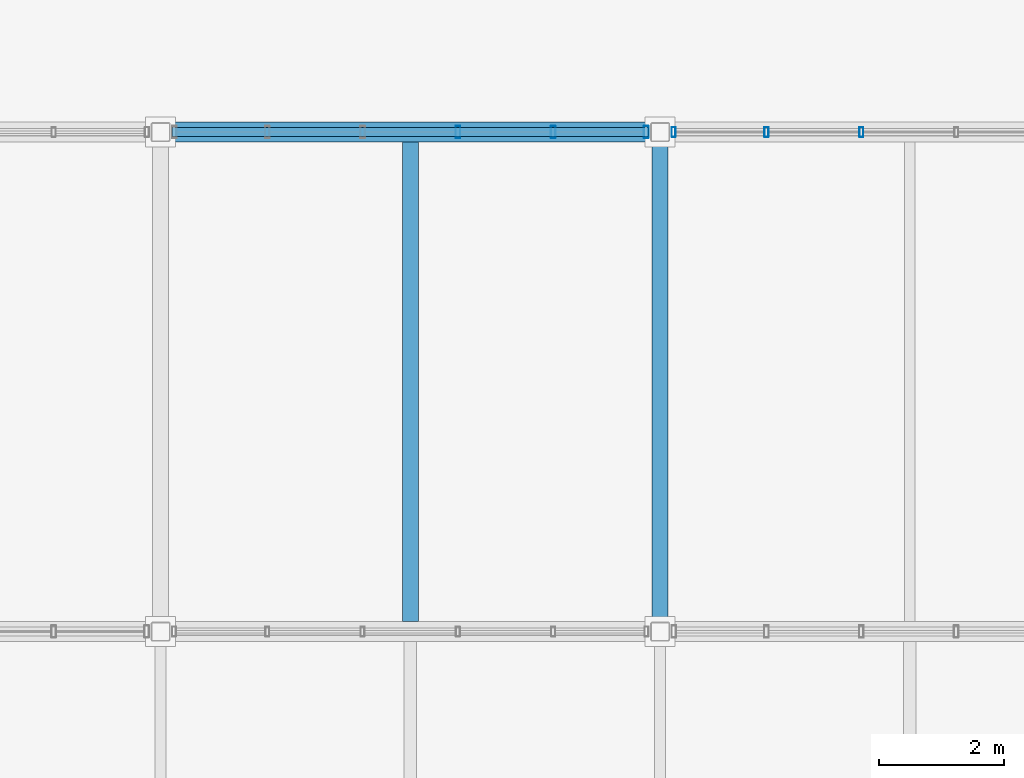
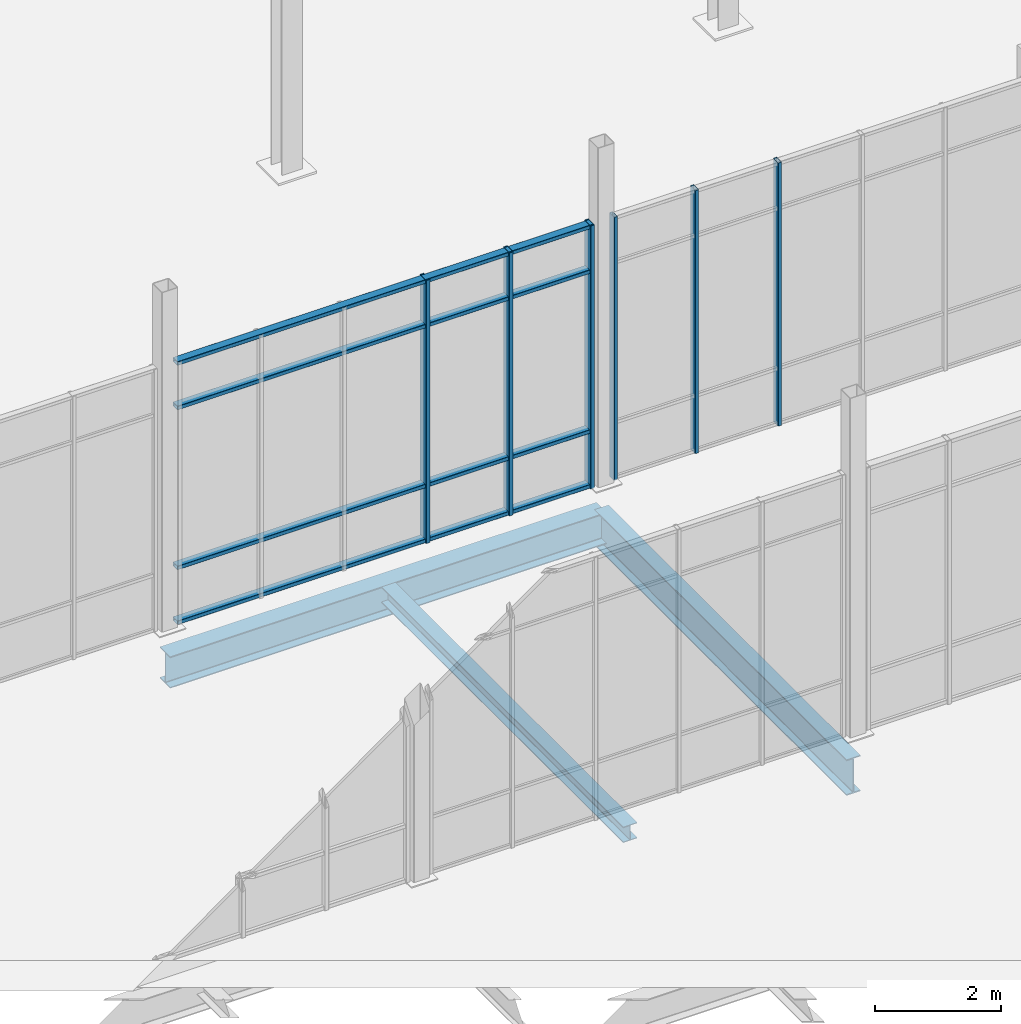
# One storey, part 53 of 140: 10 members, 3 beams, 2 elements without a shape of their own.
"""IFC4 building model written with IfcOpenShell, lengths in metres."""

import ifcopenshell
import ifcopenshell.guid

model = None  # the IFC model being written
_history = None  # IfcOwnerHistory: only IFC2X3 demands one
_inside = {}  # id of a spatial element -> (the spatial element, [elements in it])
_under = {}  # id of a project, library or spatial element -> (it, [spatial elements below it])
_declared = {}  # id of a project -> (the project, [libraries it declares])
_typed = {}  # id of a type object -> (the type object, [elements of that type])
_made_of = {}  # id of a material, layer set ... -> (it, [elements and type objects made of it])


def new_model(schema):
    """Start an empty IFC model of exactly this schema.

    Asked for "IFC4X3", IfcOpenShell would pick the latest addendum, in which some entities
    have other attributes; the version numbers below select the first issue.
    IFC2X3 requires an IfcOwnerHistory on every rooted entity: one is made here for all.
    """
    global model, _history
    if schema == "IFC4X3":
        model = ifcopenshell.file(schema_version=(4, 3, 0, 0))
    else:
        model = ifcopenshell.file(schema=schema)
    _inside.clear()
    _under.clear()
    _declared.clear()
    _typed.clear()
    _made_of.clear()
    _history = None
    if model.schema == "IFC2X3":
        org = make("IfcOrganization", Name="unknown")
        user = make(
            "IfcPersonAndOrganization",
            ThePerson=make("IfcPerson", FamilyName="unknown"),
            TheOrganization=org,
        )
        app = make(
            "IfcApplication",
            ApplicationDeveloper=org,
            Version="unknown",
            ApplicationFullName="unknown",
            ApplicationIdentifier="unknown",
        )
        _history = make(
            "IfcOwnerHistory",
            OwningUser=user,
            OwningApplication=app,
            ChangeAction="ADDED",
            CreationDate=0,
        )
    return model


def make(cls, **values):
    """One entity of the class cls with the attributes given. An attribute that is None is left unset."""
    return model.create_entity(
        cls, **{name: value for name, value in values.items() if value is not None}
    )


def rooted(cls, **values):
    """An entity with a GlobalId (a new one), such as an element, a storey or a relation."""
    return make(cls, GlobalId=ifcopenshell.guid.new(), OwnerHistory=_history, **values)


def si_unit(unit_type, name, prefix=None):
    """IfcSIUnit, for example si_unit("LENGTHUNIT", "METRE", prefix="MILLI")."""
    return make("IfcSIUnit", UnitType=unit_type, Prefix=prefix, Name=name)


def assignment(units):
    """IfcUnitAssignment: the units of a project."""
    return None if units is None else make("IfcUnitAssignment", Units=units)


def point(xyz):
    """IfcCartesianPoint."""
    return None if xyz is None else make("IfcCartesianPoint", Coordinates=xyz)


def direction(xyz):
    """IfcDirection."""
    return None if xyz is None else make("IfcDirection", DirectionRatios=xyz)


def frame(location, z_axis=None, x_axis=None):
    """IfcAxis2Placement3D, a coordinate frame: its origin and axes. An axis left out is left unset."""
    return make(
        "IfcAxis2Placement3D",
        Location=point(location),
        Axis=direction(z_axis),
        RefDirection=direction(x_axis),
    )


def frame_2d(location, x_axis=None):
    """IfcAxis2Placement2D, a coordinate frame in the plane: its origin and x axis."""
    return make(
        "IfcAxis2Placement2D", Location=point(location), RefDirection=direction(x_axis)
    )


def origin():
    """The frame at (0, 0, 0) with its axes left unset."""
    return frame((0.0, 0.0, 0.0))


def origin_2d():
    """The frame at (0, 0) in the plane with its x axis left unset."""
    return frame_2d((0.0, 0.0))


def place(relative_to, where):
    """IfcLocalPlacement: puts the frame where relative to a parent placement (None: the world)."""
    return make(
        "IfcLocalPlacement", PlacementRelTo=relative_to, RelativePlacement=where
    )


def context(
    kind, dimensions, precision=None, world=None, true_north=None, identifier=None
):
    """IfcGeometricRepresentationContext, for example the 3D "Model" context."""
    return make(
        "IfcGeometricRepresentationContext",
        ContextIdentifier=identifier,
        ContextType=kind,
        CoordinateSpaceDimension=dimensions,
        Precision=precision,
        WorldCoordinateSystem=world,
        TrueNorth=true_north,
    )


def subcontext(parent, identifier, kind, view, scale=None):
    """IfcGeometricRepresentationSubContext, for example "Body" below "Model"."""
    return make(
        "IfcGeometricRepresentationSubContext",
        ContextIdentifier=identifier,
        ContextType=kind,
        ParentContext=parent,
        TargetScale=scale,
        TargetView=view,
    )


def project(units=None, contexts=None):
    """IfcProject with its units and contexts."""
    return rooted(
        "IfcProject",
        Name="project",
        RepresentationContexts=contexts,
        UnitsInContext=assignment(units),
    )


def spatial(cls, under=None, at=None, **own):
    """A site, building, storey or space (cls), placed at a placement, below another one or the project."""
    s = rooted(cls, ObjectPlacement=at, **own)
    if under is not None:
        _under.setdefault(under.id(), (under, []))[1].append(s)
    return s


def profile(cls, at=None, kind="AREA", **sizes):
    """A parametric profile (cls). Its sizes go by their IFC names, for example OverallWidth=200.0."""
    return make(cls, ProfileType=kind, Position=at, **sizes)


def hollow_rectangle(**sizes):
    """IfcRectangleHollowProfileDef."""
    return profile("IfcRectangleHollowProfileDef", **sizes)


def i_section(**sizes):
    """IfcIShapeProfileDef."""
    return profile("IfcIShapeProfileDef", **sizes)


def extrude(swept, where, along, depth):
    """IfcExtrudedAreaSolid: the profile swept, set in the frame where, extruded along a direction by depth."""
    return make(
        "IfcExtrudedAreaSolid",
        SweptArea=swept,
        Position=where,
        ExtrudedDirection=direction(along),
        Depth=depth,
    )


def shape(context_of_items, identifier, shape_type, items):
    """IfcShapeRepresentation: the items that make up one representation, for example the "Body"."""
    return make(
        "IfcShapeRepresentation",
        ContextOfItems=context_of_items,
        RepresentationIdentifier=identifier,
        RepresentationType=shape_type,
        Items=items,
    )


def material(Name=None, Category=None):
    """IfcMaterial."""
    return make("IfcMaterial", Name=Name, Category=Category)


def material_profile(
    of_material, cross_section, Name=None, Category=None, Priority=None
):
    """IfcMaterialProfile: a cross section and its material."""
    return make(
        "IfcMaterialProfile",
        Name=Name,
        Material=of_material,
        Profile=cross_section,
        Priority=Priority,
        Category=Category,
    )


def profile_set(profiles, Name=None, composite=None):
    """IfcMaterialProfileSet."""
    return make(
        "IfcMaterialProfileSet",
        Name=Name,
        MaterialProfiles=profiles,
        CompositeProfile=composite,
    )


def made_of(thing, what):
    """Note that an element or type object is made of a material, layer set ...; save() writes the relation."""
    if what is not None:
        _made_of.setdefault(what.id(), (what, []))[1].append(thing)
    return thing


def type_object(cls, material=None, **own):
    """A type object (cls), such as IfcWallType, which elements share."""
    return made_of(rooted(cls, **own), material)


def element(
    cls,
    number,
    at=None,
    inside=None,
    cuts=None,
    type_object=None,
    material=None,
    context=None,
    identifier="Body",
    shape_type=None,
    held_by="IfcProductDefinitionShape",
    body=None,
    shapes=None,
    **own,
):
    """One element of the class cls, such as IfcWall. Its Tag is "e" and its number.

    at: its placement. inside: the storey or other place that contains it. cuts: it is an
    opening in that element (IfcRelVoidsElement). A single representation is given by context,
    identifier, shape_type and body (its items); several are given by shapes. held_by: the class
    of the entity that holds the representations. save() writes the other relations.
    """
    e = rooted(cls, Tag="e%d" % number, ObjectPlacement=at, **own)
    if body is not None:
        shapes = [shape(context, identifier, shape_type, body)]
    if shapes is not None:
        e.Representation = make(held_by, Representations=shapes)
    if inside is not None:
        _inside.setdefault(inside.id(), (inside, []))[1].append(e)
    if cuts is not None:
        rooted(
            "IfcRelVoidsElement", RelatingBuildingElement=cuts, RelatedOpeningElement=e
        )
    if type_object is not None:
        _typed.setdefault(type_object.id(), (type_object, []))[1].append(e)
    return made_of(e, material)


def aggregate(whole, parts):
    """IfcRelAggregates: a whole, such as a stair, and the parts it consists of."""
    return rooted("IfcRelAggregates", RelatingObject=whole, RelatedObjects=parts)


def save(model, path):
    """Write the relations noted so far, then the file.

    IfcRelAggregates (storeys below a building ...), IfcRelContainedInSpatialStructure (elements
    in a storey), IfcRelDefinesByType, IfcRelAssociatesMaterial and IfcRelDeclares: one each for
    every whole, place, type object, material and project.
    """
    for whole, parts in _under.values():
        aggregate(whole, parts)
    for where, things in _inside.values():
        rooted(
            "IfcRelContainedInSpatialStructure",
            RelatedElements=things,
            RelatingStructure=where,
        )
    for kind, things in _typed.values():
        rooted("IfcRelDefinesByType", RelatedObjects=things, RelatingType=kind)
    for what, things in _made_of.values():
        rooted("IfcRelAssociatesMaterial", RelatedObjects=things, RelatingMaterial=what)
    for by, libraries in _declared.values():
        rooted("IfcRelDeclares", RelatingContext=by, RelatedDefinitions=libraries)
    model.write(path)


model = new_model("IFC4")

# Units and contexts
model_context = context("Model", 3, precision=1e-05, world=origin(), true_north=direction((0.0, 1.0)))
body_context = subcontext(model_context, "Body", "Model", "MODEL_VIEW")
ifc_project = project(units=[si_unit("LENGTHUNIT", "METRE"), si_unit("AREAUNIT", "SQUARE_METRE"), si_unit("VOLUMEUNIT", "CUBIC_METRE"), si_unit("PLANEANGLEUNIT", "RADIAN"), si_unit("MASSUNIT", "GRAM", prefix="KILO")], contexts=[model_context])

# Site, building, storey
site_placement = place(None, origin())
site = spatial("IfcSite", under=ifc_project, at=site_placement, CompositionType="ELEMENT")
building_placement = place(site_placement, origin())
building = spatial("IfcBuilding", under=site, at=building_placement, Name="Verrall Gate Interchange", CompositionType="ELEMENT")
storey_placement = place(building_placement, origin())
storey = spatial("IfcBuildingStorey", under=building, at=storey_placement, Name="L01", CompositionType="ELEMENT", Elevation=0.0)

# Beams
ifc_material_1 = material(Name="Structural Steel CSA G40.21 350WT Cat 4", Category="steel")
ifc_material_profile_1 = material_profile(ifc_material_1, i_section(OverallWidth=0.256103515625, OverallDepth=0.693115234375, WebThickness=0.01318359375, FlangeThickness=0.02001953125, FilletRadius=0.01611328125, at=origin_2d()), Name="W690x170")
ifc_profile_set_1 = profile_set([ifc_material_profile_1], Name="Structural Steel CSA G40.21 350WT Cat 4")
beam_type_1 = type_object("IfcBeamType", Name="B-07 Structural Beam W690x170", PredefinedType="BEAM", material=ifc_profile_set_1)
beam_1_placement = place(storey_placement, frame((124.0, 48.0, -0.846435546875), z_axis=(0.0, 1.0, 0.0), x_axis=(-1.0, 0.0, 0.0)))
element("IfcBeam", 1, at=beam_1_placement, inside=storey, type_object=beam_type_1, Name="L01 Girder BM-L01-1194 (B-07)", PredefinedType="BEAM", context=body_context, shape_type="SweptSolid", body=[
    extrude(i_section(OverallWidth=0.256103515625, OverallDepth=0.693115234375, WebThickness=0.01318359375, FlangeThickness=0.02001953125, FilletRadius=0.01611328125, at=origin_2d()), origin(), (0.0, 0.0, 1.0), 8.0),
])
ifc_material_2 = material(Name="Structural Steel CSA G40.21 350WT Cat 4", Category="steel")
ifc_material_profile_2 = material_profile(ifc_material_2, i_section(OverallWidth=0.323974609375, OverallDepth=0.611083984375, WebThickness=0.0126953125, FlangeThickness=0.01904296875, FilletRadius=0.014892578125, at=origin_2d()), Name="W610x155")
ifc_profile_set_2 = profile_set([ifc_material_profile_2], Name="Structural Steel CSA G40.21 350WT Cat 4")
beam_type_2 = type_object("IfcBeamType", Name="B-08 Structural Beam W610x155", PredefinedType="BEAM", material=ifc_profile_set_2)
beam_2_placement = place(storey_placement, frame((116.0, 56.0, -0.805419921875), z_axis=(1.0, 0.0, 0.0), x_axis=(0.0, 1.0, 0.0)))
element("IfcBeam", 2, at=beam_2_placement, inside=storey, type_object=beam_type_2, Name="L01 Girder BM-L01-0949 (B-08)", PredefinedType="BEAM", context=body_context, shape_type="SweptSolid", body=[
    extrude(i_section(OverallWidth=0.323974609375, OverallDepth=0.611083984375, WebThickness=0.0126953125, FlangeThickness=0.01904296875, FilletRadius=0.014892578125, at=origin_2d()), origin(), (0.0, 0.0, 1.0), 8.0),
])

# Curtain wall, members
ifc_material_3 = material(Name="Thermally Broken Anodized Aluminium Curtain Wall Framing", Category="aluminium")
curtain_wall_type = type_object("IfcCurtainWallType", Name="CW-06 Unitized Curtain Wall 7631x5100", PredefinedType="NOTDEFINED", material=ifc_material_3)
curtain_wall_1_placement = place(storey_placement, origin())
curtain_wall_1 = element("IfcCurtainWall", 3, at=curtain_wall_1_placement, inside=storey, type_object=curtain_wall_type, Name="L01 Unitized Curtain Wall CW-L01-012", PredefinedType="NOTDEFINED")
ifc_material_4 = material(Name="Thermally Broken Anodized Aluminium Curtain Wall Framing", Category="aluminium")
ifc_material_profile_3 = material_profile(ifc_material_4, hollow_rectangle(XDim=0.06494140625, YDim=0.159912109375, WallThickness=0.00390625, InnerFilletRadius=0.00390625, OuterFilletRadius=0.008056640625, at=origin_2d()), Name="CWM160x65x4")
ifc_profile_set_3 = profile_set([ifc_material_profile_3], Name="Thermally Broken Anodized Aluminium Curtain Wall Framing")
member_type_1 = type_object("IfcMemberType", Name="CM-01 Curtain Mullion CWM160x65x4", PredefinedType="MULLION", material=ifc_profile_set_3)
member_1_placement = place(storey_placement, frame((127.22412109375, 56.0, 0.0), z_axis=(0.0, 0.0, 1.0), x_axis=(-1.0, 0.0, 0.0)))
member_1 = element("IfcMember", 4, at=member_1_placement, type_object=member_type_1, Name="CW-L01-012 Mullion 4", PredefinedType="MULLION", context=body_context, shape_type="SweptSolid", body=[
    extrude(hollow_rectangle(XDim=0.06494140625, YDim=0.159912109375, WallThickness=0.00390625, InnerFilletRadius=0.00390625, OuterFilletRadius=0.008056640625, at=origin_2d()), origin(), (0.0, 0.0, 1.0), 5.10009765625),
])
member_2_placement = place(storey_placement, frame((125.704345703125, 56.0, 0.0), z_axis=(0.0, 0.0, 1.0), x_axis=(-1.0, 0.0, 0.0)))
member_2 = element("IfcMember", 5, at=member_2_placement, type_object=member_type_1, Name="CW-L01-012 Mullion 5", PredefinedType="MULLION", context=body_context, shape_type="SweptSolid", body=[
    extrude(hollow_rectangle(XDim=0.06494140625, YDim=0.159912109375, WallThickness=0.00390625, InnerFilletRadius=0.00390625, OuterFilletRadius=0.008056640625, at=origin_2d()), origin(), (0.0, 0.0, 1.0), 5.10009765625),
])
member_3_placement = place(storey_placement, frame((124.217041015625, 56.0, 0.0), z_axis=(0.0, 0.0, 1.0), x_axis=(-1.0, 0.0, 0.0)))
member_3 = element("IfcMember", 6, at=member_3_placement, type_object=member_type_1, Name="CW-L01-012 Mullion 6", PredefinedType="MULLION", context=body_context, shape_type="SweptSolid", body=[
    extrude(hollow_rectangle(XDim=0.06494140625, YDim=0.159912109375, WallThickness=0.00390625, InnerFilletRadius=0.00390625, OuterFilletRadius=0.008056640625, at=origin_2d()), origin(), (0.0, 0.0, 1.0), 5.10009765625),
])
aggregate(curtain_wall_1, [member_1, member_2, member_3])

curtain_wall_2_placement = place(storey_placement, origin())
curtain_wall_2 = element("IfcCurtainWall", 7, at=curtain_wall_2_placement, inside=storey, type_object=curtain_wall_type, Name="L01 Unitized Curtain Wall CW-L01-013", PredefinedType="NOTDEFINED")
ifc_material_5 = material(Name="Thermally Broken Anodized Aluminium Curtain Wall Framing", Category="aluminium")
ifc_material_profile_4 = material_profile(ifc_material_5, hollow_rectangle(XDim=0.074951171875, YDim=0.199951171875, WallThickness=0.0048828125, InnerFilletRadius=0.0048828125, OuterFilletRadius=0.010009765625, at=origin_2d()), Name="CWM200x75x5")
ifc_profile_set_4 = profile_set([ifc_material_profile_4], Name="Thermally Broken Anodized Aluminium Curtain Wall Framing")
member_type_2 = type_object("IfcMemberType", Name="CM-02 Curtain Mullion CWM200x75x5", PredefinedType="MULLION", material=ifc_profile_set_4)
member_4_placement = place(storey_placement, frame((123.778076171875, 56.0, 0.0), z_axis=(0.0, 0.0, 1.0), x_axis=(-1.0, 0.0, 0.0)))
member_4 = element("IfcMember", 8, at=member_4_placement, type_object=member_type_2, Name="CW-L01-013 Mullion 1", PredefinedType="MULLION", context=body_context, shape_type="SweptSolid", body=[
    extrude(hollow_rectangle(XDim=0.074951171875, YDim=0.199951171875, WallThickness=0.0048828125, InnerFilletRadius=0.0048828125, OuterFilletRadius=0.010009765625, at=origin_2d()), origin(), (0.0, 0.0, 1.0), 5.10009765625),
])
member_5_placement = place(storey_placement, frame((122.289306640625, 56.0, 0.0), z_axis=(0.0, 0.0, 1.0), x_axis=(-1.0, 0.0, 0.0)))
member_5 = element("IfcMember", 9, at=member_5_placement, type_object=member_type_2, Name="CW-L01-013 Mullion 2", PredefinedType="MULLION", context=body_context, shape_type="SweptSolid", body=[
    extrude(hollow_rectangle(XDim=0.074951171875, YDim=0.199951171875, WallThickness=0.0048828125, InnerFilletRadius=0.0048828125, OuterFilletRadius=0.010009765625, at=origin_2d()), origin(), (0.0, 0.0, 1.0), 5.10009765625),
])
member_6_placement = place(storey_placement, frame((120.76318359375, 56.0, 0.0), z_axis=(0.0, 0.0, 1.0), x_axis=(-1.0, 0.0, 0.0)))
member_6 = element("IfcMember", 10, at=member_6_placement, type_object=member_type_2, Name="CW-L01-013 Mullion 3", PredefinedType="MULLION", context=body_context, shape_type="SweptSolid", body=[
    extrude(hollow_rectangle(XDim=0.074951171875, YDim=0.199951171875, WallThickness=0.0048828125, InnerFilletRadius=0.0048828125, OuterFilletRadius=0.010009765625, at=origin_2d()), origin(), (0.0, 0.0, 1.0), 5.10009765625),
])
ifc_material_6 = material(Name="Thermally Broken Anodized Aluminium Curtain Wall Framing", Category="aluminium")
ifc_material_profile_5 = material_profile(ifc_material_6, hollow_rectangle(XDim=0.14990234375, YDim=0.074951171875, WallThickness=0.00439453125, InnerFilletRadius=0.00439453125, OuterFilletRadius=0.009033203125, at=origin_2d()), Name="CWT150x75x4.5")
ifc_profile_set_5 = profile_set([ifc_material_profile_5], Name="Thermally Broken Anodized Aluminium Curtain Wall Framing")
member_type_3 = type_object("IfcMemberType", Name="CT-02 Curtain Transom CWT150x75x4.5", PredefinedType="USERDEFINED", material=ifc_profile_set_5)
member_7_placement = place(storey_placement, frame((123.8154296875, 56.0, 0.03759765625), z_axis=(-1.0, 0.0, 0.0), x_axis=(0.0, -1.0, 0.0)))
member_7 = element("IfcMember", 11, at=member_7_placement, type_object=member_type_3, Name="CW-L01-013 Transom 1", ObjectType="TRANSOM", PredefinedType="USERDEFINED", context=body_context, shape_type="SweptSolid", body=[
    extrude(hollow_rectangle(XDim=0.14990234375, YDim=0.074951171875, WallThickness=0.00439453125, InnerFilletRadius=0.00439453125, OuterFilletRadius=0.009033203125, at=origin_2d()), origin(), (0.0, 0.0, 1.0), 7.630859375),
])
member_8_placement = place(storey_placement, frame((123.8154296875, 56.0, 1.10009765625), z_axis=(-1.0, 0.0, 0.0), x_axis=(0.0, -1.0, 0.0)))
member_8 = element("IfcMember", 12, at=member_8_placement, type_object=member_type_3, Name="CW-L01-013 Transom 2", ObjectType="TRANSOM", PredefinedType="USERDEFINED", context=body_context, shape_type="SweptSolid", body=[
    extrude(hollow_rectangle(XDim=0.14990234375, YDim=0.074951171875, WallThickness=0.00439453125, InnerFilletRadius=0.00439453125, OuterFilletRadius=0.009033203125, at=origin_2d()), origin(), (0.0, 0.0, 1.0), 7.630859375),
])
member_9_placement = place(storey_placement, frame((123.8154296875, 56.0, 4.199951171875), z_axis=(-1.0, 0.0, 0.0), x_axis=(0.0, -1.0, 0.0)))
member_9 = element("IfcMember", 13, at=member_9_placement, type_object=member_type_3, Name="CW-L01-013 Transom 3", ObjectType="TRANSOM", PredefinedType="USERDEFINED", context=body_context, shape_type="SweptSolid", body=[
    extrude(hollow_rectangle(XDim=0.14990234375, YDim=0.074951171875, WallThickness=0.00439453125, InnerFilletRadius=0.00439453125, OuterFilletRadius=0.009033203125, at=origin_2d()), origin(), (0.0, 0.0, 1.0), 7.630859375),
])
member_10_placement = place(storey_placement, frame((123.8154296875, 56.0, 5.0625), z_axis=(-1.0, 0.0, 0.0), x_axis=(0.0, -1.0, 0.0)))
member_10 = element("IfcMember", 14, at=member_10_placement, type_object=member_type_3, Name="CW-L01-013 Transom 4", ObjectType="TRANSOM", PredefinedType="USERDEFINED", context=body_context, shape_type="SweptSolid", body=[
    extrude(hollow_rectangle(XDim=0.14990234375, YDim=0.074951171875, WallThickness=0.00439453125, InnerFilletRadius=0.00439453125, OuterFilletRadius=0.009033203125, at=origin_2d()), origin(), (0.0, 0.0, 1.0), 7.630859375),
])
aggregate(curtain_wall_2, [member_4, member_5, member_6, member_7, member_8, member_9, member_10])

# Beam
ifc_material_7 = material(Name="Structural Steel CSA G40.21 350W", Category="steel")
ifc_material_profile_6 = material_profile(ifc_material_7, i_section(OverallWidth=0.25390625, OverallDepth=0.305908203125, WebThickness=0.0087890625, FlangeThickness=0.0146484375, FilletRadius=0.012939453125, at=origin_2d()), Name="W310x79")
ifc_profile_set_6 = profile_set([ifc_material_profile_6], Name="Structural Steel CSA G40.21 350W")
beam_type_3 = type_object("IfcBeamType", Name="J-03 Floor Joist W310x79", PredefinedType="JOIST", material=ifc_profile_set_6)
beam_3_placement = place(storey_placement, frame((120.0, 48.162109375, -0.653076171875), z_axis=(0.0, 1.0, 0.0), x_axis=(-1.0, 0.0, 0.0)))
element("IfcBeam", 15, at=beam_3_placement, inside=storey, type_object=beam_type_3, Name="L01 Secondary Floor Joist JST-L01-1413", PredefinedType="JOIST", context=body_context, shape_type="SweptSolid", body=[
    extrude(i_section(OverallWidth=0.25390625, OverallDepth=0.305908203125, WebThickness=0.0087890625, FlangeThickness=0.0146484375, FilletRadius=0.012939453125, at=origin_2d()), origin(), (0.0, 0.0, 1.0), 7.67578125),
])

save(model, "model.ifc")
